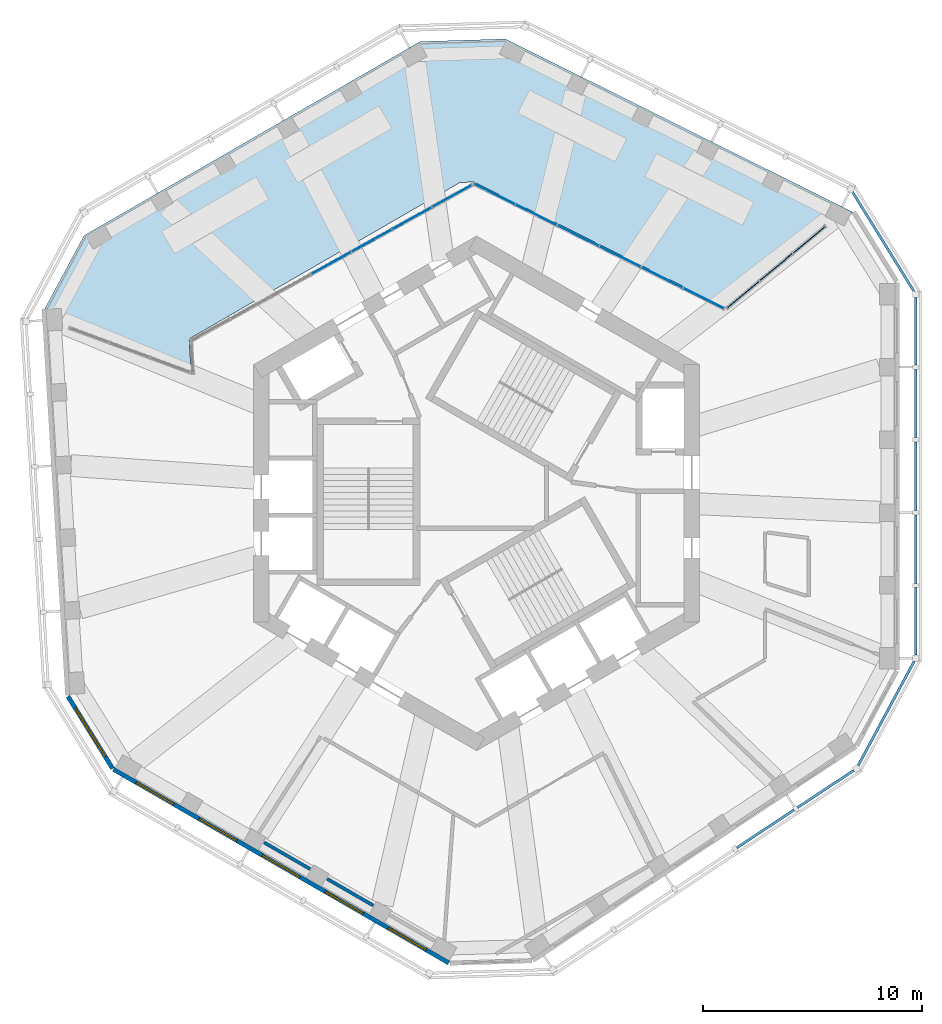
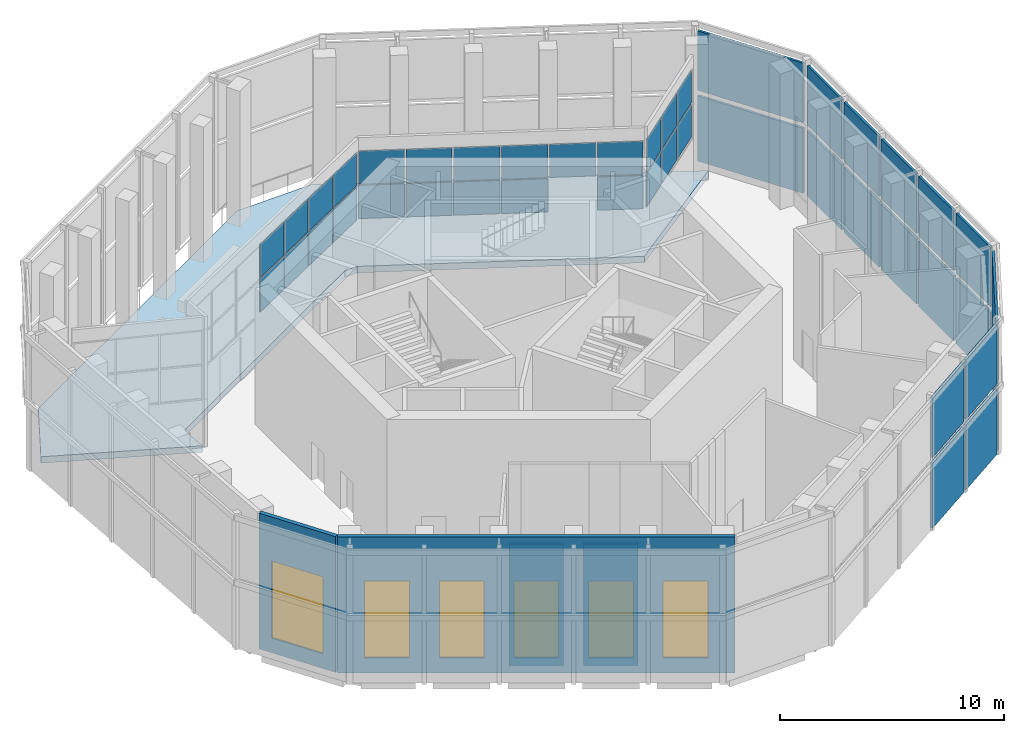
# One storey, part 7 of 16: 43 plates, 6 windows, 4 walls, 1 slab, 6 openings, 7 elements without a shape of their own.
"""IFC4 building model written with IfcOpenShell, lengths in metres."""

from ifc_helpers import new_model, si_unit, direction, frame, frame_2d, origin, origin_2d, place, context, subcontext, project, spatial, polyline, rectangle, outline, extrude, material, layer, layer_set, type_object, element, fill, aggregate, save


model = new_model("IFC4")

# Units and contexts
model_context = context("Model", 3, precision=1e-05, world=origin(), true_north=direction((0.0, 1.0)))
body_context = subcontext(model_context, "Body", "Model", "MODEL_VIEW")
ifc_project = project(units=[si_unit("LENGTHUNIT", "METRE"), si_unit("AREAUNIT", "SQUARE_METRE"), si_unit("VOLUMEUNIT", "CUBIC_METRE"), si_unit("PLANEANGLEUNIT", "RADIAN"), si_unit("MASSUNIT", "GRAM", prefix="KILO")], contexts=[model_context])

# Site, building, storey
site_placement = place(None, origin())
site = spatial("IfcSite", under=ifc_project, at=site_placement, CompositionType="ELEMENT")
building_placement = place(site_placement, origin())
building = spatial("IfcBuilding", under=site, at=building_placement, Name="Vanh Sen Convention Tower", CompositionType="ELEMENT")
storey_placement = place(building_placement, frame((0.0, 0.0, 278.300048828125)))
storey = spatial("IfcBuildingStorey", under=building, at=storey_placement, Name="L69", CompositionType="ELEMENT", Elevation=278.300048828125)

# Curtain wall, plates
ifc_material_1 = material(Name="Aluminium structural glazing system", Category="aluminium")
curtain_wall_type_1 = type_object("IfcCurtainWallType", Name="Sky garden structural glazing", PredefinedType="NOTDEFINED", material=ifc_material_1)
curtain_wall_1_placement = place(storey_placement, origin())
curtain_wall_1 = element("IfcCurtainWall", 1, at=curtain_wall_1_placement, inside=storey, type_object=curtain_wall_type_1, Name="Winter garden glazing 3 L69", PredefinedType="NOTDEFINED")
ifc_material_2 = material(Name="Clear toughened safety glass", Category="glass")
ifc_layer_1 = layer(ifc_material_2, 0.035888671875)
ifc_layer_set_1 = layer_set([ifc_layer_1], Name="Clear toughened safety glass")
plate_type_1 = type_object("IfcPlateType", Name="Garden glazing clear glass panel 36", PredefinedType="CURTAIN_PANEL", material=ifc_layer_set_1)
plate_1_placement = place(storey_placement, frame((-6.65283203125, 10.5400390625, 2.669921875), z_axis=(0.0, 0.0, 1.0), x_axis=(0.874659112115, 0.484738524975, 0.0)))
plate_1 = element("IfcPlate", 2, at=plate_1_placement, type_object=plate_type_1, Name="CW5 panel 4.1", PredefinedType="CURTAIN_PANEL", context=body_context, shape_type="SweptSolid", body=[
    extrude(rectangle(XDim=2.04150390625, YDim=0.035888671875, at=origin_2d()), origin(), (0.0, 0.0, 1.0), 1.804931640625),
])
plate_2_placement = place(storey_placement, frame((-6.65283203125, 10.5400390625, 4.544921875), z_axis=(0.0, 0.0, 1.0), x_axis=(0.874659112115, 0.484738524975, 0.0)))
plate_2 = element("IfcPlate", 3, at=plate_2_placement, type_object=plate_type_1, Name="CW5 panel 4.2", PredefinedType="CURTAIN_PANEL", context=body_context, shape_type="SweptSolid", body=[
    extrude(rectangle(XDim=2.04150390625, YDim=0.035888671875, at=origin_2d()), origin(), (0.0, 0.0, 1.0), 1.804931640625),
])
plate_3_placement = place(storey_placement, frame((-4.805908203125, 11.5634765625, 2.669921875), z_axis=(0.0, 0.0, 1.0), x_axis=(0.874659112115, 0.484738524975, 0.0)))
plate_3 = element("IfcPlate", 4, at=plate_3_placement, type_object=plate_type_1, Name="CW5 panel 5.1", PredefinedType="CURTAIN_PANEL", context=body_context, shape_type="SweptSolid", body=[
    extrude(rectangle(XDim=2.04150390625, YDim=0.035888671875, at=origin_2d()), origin(), (0.0, 0.0, 1.0), 1.804931640625),
])
plate_4_placement = place(storey_placement, frame((-4.805908203125, 11.5634765625, 4.544921875), z_axis=(0.0, 0.0, 1.0), x_axis=(0.874659112115, 0.484738524975, 0.0)))
plate_4 = element("IfcPlate", 5, at=plate_4_placement, type_object=plate_type_1, Name="CW5 panel 5.2", PredefinedType="CURTAIN_PANEL", context=body_context, shape_type="SweptSolid", body=[
    extrude(rectangle(XDim=2.04150390625, YDim=0.035888671875, at=origin_2d()), origin(), (0.0, 0.0, 1.0), 1.804931640625),
])
plate_5_placement = place(storey_placement, frame((-2.958984375, 12.587158203125, 2.669921875), z_axis=(0.0, 0.0, 1.0), x_axis=(0.874659112115, 0.484738524975, 0.0)))
plate_5 = element("IfcPlate", 6, at=plate_5_placement, type_object=plate_type_1, Name="CW5 panel 6.1", PredefinedType="CURTAIN_PANEL", context=body_context, shape_type="SweptSolid", body=[
    extrude(rectangle(XDim=2.04150390625, YDim=0.035888671875, at=origin_2d()), origin(), (0.0, 0.0, 1.0), 1.804931640625),
])
plate_6_placement = place(storey_placement, frame((-2.958984375, 12.587158203125, 4.544921875), z_axis=(0.0, 0.0, 1.0), x_axis=(0.874659112115, 0.484738524975, 0.0)))
plate_6 = element("IfcPlate", 7, at=plate_6_placement, type_object=plate_type_1, Name="CW5 panel 6.2", PredefinedType="CURTAIN_PANEL", context=body_context, shape_type="SweptSolid", body=[
    extrude(rectangle(XDim=2.04150390625, YDim=0.035888671875, at=origin_2d()), origin(), (0.0, 0.0, 1.0), 1.804931640625),
])
plate_7_placement = place(storey_placement, frame((-1.12744140625, 13.60205078125, 2.669921875), z_axis=(0.0, 0.0, 1.0), x_axis=(0.874659112115, 0.484738524975, 0.0)))
plate_7 = element("IfcPlate", 8, at=plate_7_placement, type_object=plate_type_1, Name="CW5 panel 7.1", PredefinedType="CURTAIN_PANEL", context=body_context, shape_type="SweptSolid", body=[
    extrude(rectangle(XDim=2.006591796875, YDim=0.035888671875, at=origin_2d()), origin(), (0.0, 0.0, 1.0), 1.804931640625),
])
plate_8_placement = place(storey_placement, frame((-1.12744140625, 13.60205078125, 4.544921875), z_axis=(0.0, 0.0, 1.0), x_axis=(0.874659112115, 0.484738524975, 0.0)))
plate_8 = element("IfcPlate", 9, at=plate_8_placement, type_object=plate_type_1, Name="CW5 panel 7.2", PredefinedType="CURTAIN_PANEL", context=body_context, shape_type="SweptSolid", body=[
    extrude(rectangle(XDim=2.006591796875, YDim=0.035888671875, at=origin_2d()), origin(), (0.0, 0.0, 1.0), 1.804931640625),
])
aggregate(curtain_wall_1, [plate_1, plate_2, plate_3, plate_4, plate_5, plate_6, plate_7, plate_8])

curtain_wall_2_placement = place(storey_placement, origin())
curtain_wall_2 = element("IfcCurtainWall", 10, at=curtain_wall_2_placement, inside=storey, type_object=curtain_wall_type_1, Name="Winter garden glazing 4 L69", PredefinedType="NOTDEFINED")
plate_9_placement = place(storey_placement, frame((0.825439453125, 13.695556640625, 2.669921875), z_axis=(0.0, 0.0, 1.0), x_axis=(0.894933739876, -0.446199060096, 0.0)))
plate_9 = element("IfcPlate", 11, at=plate_9_placement, type_object=plate_type_1, Name="CW5 panel 1.1", PredefinedType="CURTAIN_PANEL", context=body_context, shape_type="SweptSolid", body=[
    extrude(rectangle(XDim=2.037841796875, YDim=0.035888671875, at=origin_2d()), origin(), (0.0, 0.0, 1.0), 1.804931640625),
])
plate_10_placement = place(storey_placement, frame((0.825439453125, 13.695556640625, 4.544921875), z_axis=(0.0, 0.0, 1.0), x_axis=(0.894933739876, -0.446199060096, 0.0)))
plate_10 = element("IfcPlate", 12, at=plate_10_placement, type_object=plate_type_1, Name="CW5 panel 1.2", PredefinedType="CURTAIN_PANEL", context=body_context, shape_type="SweptSolid", body=[
    extrude(rectangle(XDim=2.037841796875, YDim=0.035888671875, at=origin_2d()), origin(), (0.0, 0.0, 1.0), 1.804931640625),
])
plate_11_placement = place(storey_placement, frame((2.727294921875, 12.747314453125, 2.669921875), z_axis=(0.0, 0.0, 1.0), x_axis=(0.894933739876, -0.446199060096, 0.0)))
plate_11 = element("IfcPlate", 13, at=plate_11_placement, type_object=plate_type_1, Name="CW5 panel 2.1", PredefinedType="CURTAIN_PANEL", context=body_context, shape_type="SweptSolid", body=[
    extrude(rectangle(XDim=2.07275390625, YDim=0.035888671875, at=origin_2d()), origin(), (0.0, 0.0, 1.0), 1.804931640625),
])
plate_12_placement = place(storey_placement, frame((2.727294921875, 12.747314453125, 4.544921875), z_axis=(0.0, 0.0, 1.0), x_axis=(0.894933739876, -0.446199060096, 0.0)))
plate_12 = element("IfcPlate", 14, at=plate_12_placement, type_object=plate_type_1, Name="CW5 panel 2.2", PredefinedType="CURTAIN_PANEL", context=body_context, shape_type="SweptSolid", body=[
    extrude(rectangle(XDim=2.07275390625, YDim=0.035888671875, at=origin_2d()), origin(), (0.0, 0.0, 1.0), 1.804931640625),
])
plate_13_placement = place(storey_placement, frame((4.64501953125, 11.791259765625, 2.669921875), z_axis=(0.0, 0.0, 1.0), x_axis=(0.894933739876, -0.446199060096, 0.0)))
plate_13 = element("IfcPlate", 15, at=plate_13_placement, type_object=plate_type_1, Name="CW5 panel 3.1", PredefinedType="CURTAIN_PANEL", context=body_context, shape_type="SweptSolid", body=[
    extrude(rectangle(XDim=2.07275390625, YDim=0.035888671875, at=origin_2d()), origin(), (0.0, 0.0, 1.0), 1.804931640625),
])
plate_14_placement = place(storey_placement, frame((4.64501953125, 11.791259765625, 4.544921875), z_axis=(0.0, 0.0, 1.0), x_axis=(0.894933739876, -0.446199060096, 0.0)))
plate_14 = element("IfcPlate", 16, at=plate_14_placement, type_object=plate_type_1, Name="CW5 panel 3.2", PredefinedType="CURTAIN_PANEL", context=body_context, shape_type="SweptSolid", body=[
    extrude(rectangle(XDim=2.07275390625, YDim=0.035888671875, at=origin_2d()), origin(), (0.0, 0.0, 1.0), 1.804931640625),
])
plate_15_placement = place(storey_placement, frame((6.562744140625, 10.835205078125, 2.669921875), z_axis=(0.0, 0.0, 1.0), x_axis=(0.894933739876, -0.446199060096, 0.0)))
plate_15 = element("IfcPlate", 17, at=plate_15_placement, type_object=plate_type_1, Name="CW5 panel 4.1", PredefinedType="CURTAIN_PANEL", context=body_context, shape_type="SweptSolid", body=[
    extrude(rectangle(XDim=2.07275390625, YDim=0.035888671875, at=origin_2d()), origin(), (0.0, 0.0, 1.0), 1.804931640625),
])
plate_16_placement = place(storey_placement, frame((6.562744140625, 10.835205078125, 4.544921875), z_axis=(0.0, 0.0, 1.0), x_axis=(0.894933739876, -0.446199060096, 0.0)))
plate_16 = element("IfcPlate", 18, at=plate_16_placement, type_object=plate_type_1, Name="CW5 panel 4.2", PredefinedType="CURTAIN_PANEL", context=body_context, shape_type="SweptSolid", body=[
    extrude(rectangle(XDim=2.07275390625, YDim=0.035888671875, at=origin_2d()), origin(), (0.0, 0.0, 1.0), 1.804931640625),
])
plate_17_placement = place(storey_placement, frame((8.48046875, 9.87890625, 4.544921875), z_axis=(0.0, 0.0, 1.0), x_axis=(0.894933739876, -0.446199060096, 0.0)))
plate_17 = element("IfcPlate", 19, at=plate_17_placement, type_object=plate_type_1, Name="CW5 panel 5.2", PredefinedType="CURTAIN_PANEL", context=body_context, shape_type="SweptSolid", body=[
    extrude(rectangle(XDim=2.07275390625, YDim=0.035888671875, at=origin_2d()), origin(), (0.0, 0.0, 1.0), 1.804931640625),
])
plate_18_placement = place(storey_placement, frame((10.38232421875, 8.9306640625, 2.669921875), z_axis=(0.0, 0.0, 1.0), x_axis=(0.894933739876, -0.446199060096, 0.0)))
plate_18 = element("IfcPlate", 20, at=plate_18_placement, type_object=plate_type_1, Name="CW5 panel 6.1", PredefinedType="CURTAIN_PANEL", context=body_context, shape_type="SweptSolid", body=[
    extrude(rectangle(XDim=2.037841796875, YDim=0.035888671875, at=origin_2d()), origin(), (0.0, 0.0, 1.0), 1.804931640625),
])
plate_19_placement = place(storey_placement, frame((10.38232421875, 8.9306640625, 4.544921875), z_axis=(0.0, 0.0, 1.0), x_axis=(0.894933739876, -0.446199060096, 0.0)))
plate_19 = element("IfcPlate", 21, at=plate_19_placement, type_object=plate_type_1, Name="CW5 panel 6.2", PredefinedType="CURTAIN_PANEL", context=body_context, shape_type="SweptSolid", body=[
    extrude(rectangle(XDim=2.037841796875, YDim=0.035888671875, at=origin_2d()), origin(), (0.0, 0.0, 1.0), 1.804931640625),
])
aggregate(curtain_wall_2, [plate_9, plate_10, plate_11, plate_12, plate_13, plate_14, plate_15, plate_16, plate_17, plate_18, plate_19])

curtain_wall_3_placement = place(storey_placement, origin())
curtain_wall_3 = element("IfcCurtainWall", 22, at=curtain_wall_3_placement, inside=storey, type_object=curtain_wall_type_1, Name="Winter garden glazing 5 L69", PredefinedType="NOTDEFINED")
plate_20_placement = place(storey_placement, frame((12.20361328125, 9.097900390625, 2.669921875), z_axis=(0.0, 0.0, 1.0), x_axis=(0.768298676572, 0.640091511877, 0.0)))
plate_20 = element("IfcPlate", 23, at=plate_20_placement, type_object=plate_type_1, Name="CW5 panel 1.1", PredefinedType="CURTAIN_PANEL", context=body_context, shape_type="SweptSolid", body=[
    extrude(rectangle(XDim=1.871826171875, YDim=0.035888671875, at=origin_2d()), origin(), (0.0, 0.0, 1.0), 1.804931640625),
])
plate_21_placement = place(storey_placement, frame((12.20361328125, 9.097900390625, 4.544921875), z_axis=(0.0, 0.0, 1.0), x_axis=(0.768298676572, 0.640091511877, 0.0)))
plate_21 = element("IfcPlate", 24, at=plate_21_placement, type_object=plate_type_1, Name="CW5 panel 1.2", PredefinedType="CURTAIN_PANEL", context=body_context, shape_type="SweptSolid", body=[
    extrude(rectangle(XDim=1.871826171875, YDim=0.035888671875, at=origin_2d()), origin(), (0.0, 0.0, 1.0), 1.804931640625),
])
plate_22_placement = place(storey_placement, frame((13.708984375, 10.35205078125, 2.669921875), z_axis=(0.0, 0.0, 1.0), x_axis=(0.768298676572, 0.640091511877, 0.0)))
plate_22 = element("IfcPlate", 25, at=plate_22_placement, type_object=plate_type_1, Name="CW5 panel 2.1", PredefinedType="CURTAIN_PANEL", context=body_context, shape_type="SweptSolid", body=[
    extrude(rectangle(XDim=1.90673828125, YDim=0.035888671875, at=origin_2d()), origin(), (0.0, 0.0, 1.0), 1.804931640625),
])
plate_23_placement = place(storey_placement, frame((13.708984375, 10.35205078125, 4.544921875), z_axis=(0.0, 0.0, 1.0), x_axis=(0.768298676572, 0.640091511877, 0.0)))
plate_23 = element("IfcPlate", 26, at=plate_23_placement, type_object=plate_type_1, Name="CW5 panel 2.2", PredefinedType="CURTAIN_PANEL", context=body_context, shape_type="SweptSolid", body=[
    extrude(rectangle(XDim=1.90673828125, YDim=0.035888671875, at=origin_2d()), origin(), (0.0, 0.0, 1.0), 1.804931640625),
])
plate_24_placement = place(storey_placement, frame((15.214111328125, 11.606201171875, 2.669921875), z_axis=(0.0, 0.0, 1.0), x_axis=(0.768298676572, 0.640091511877, 0.0)))
plate_24 = element("IfcPlate", 27, at=plate_24_placement, type_object=plate_type_1, Name="CW5 panel 3.1", PredefinedType="CURTAIN_PANEL", context=body_context, shape_type="SweptSolid", body=[
    extrude(rectangle(XDim=1.871826171875, YDim=0.035888671875, at=origin_2d()), origin(), (0.0, 0.0, 1.0), 1.804931640625),
])
plate_25_placement = place(storey_placement, frame((15.214111328125, 11.606201171875, 4.544921875), z_axis=(0.0, 0.0, 1.0), x_axis=(0.768298676572, 0.640091511877, 0.0)))
plate_25 = element("IfcPlate", 28, at=plate_25_placement, type_object=plate_type_1, Name="CW5 panel 3.2", PredefinedType="CURTAIN_PANEL", context=body_context, shape_type="SweptSolid", body=[
    extrude(rectangle(XDim=1.871826171875, YDim=0.035888671875, at=origin_2d()), origin(), (0.0, 0.0, 1.0), 1.804931640625),
])
aggregate(curtain_wall_3, [plate_20, plate_21, plate_22, plate_23, plate_24, plate_25])

ifc_material_3 = material(Name="Concrete C50/60", Category="concrete")
curtain_wall_type_2 = type_object("IfcCurtainWallType", Name="Outer skin office zone", PredefinedType="NOTDEFINED", material=ifc_material_3)
curtain_wall_4_placement = place(storey_placement, origin())
curtain_wall_4 = element("IfcCurtainWall", 29, at=curtain_wall_4_placement, inside=storey, type_object=curtain_wall_type_2, Name="OUTER SKIN E L69", PredefinedType="NOTDEFINED")
ifc_layer_2 = layer(ifc_material_3, 0.1201171875)
ifc_layer_set_2 = layer_set([ifc_layer_2], Name="Concrete C50/60")
plate_type_2 = type_object("IfcPlateType", Name="Outer skin precast screen panel 120", PredefinedType="CURTAIN_PANEL", material=ifc_layer_set_2)
plate_26_placement = place(storey_placement, frame((20.10009765625, -5.85595703125, 0.0), z_axis=(0.0, 0.0, 1.0), x_axis=(0.0, 1.0, 0.0)))
plate_26 = element("IfcPlate", 30, at=plate_26_placement, type_object=plate_type_2, Name="OUTER SKIN screen panel E-1", PredefinedType="CURTAIN_PANEL", context=body_context, shape_type="SweptSolid", body=[
    extrude(rectangle(XDim=3.08154296875, YDim=0.1201171875, at=origin_2d()), origin(), (0.0, 0.0, 1.0), 3.550048828125),
])
plate_27_placement = place(storey_placement, frame((20.10009765625, -5.85595703125, 3.849853515625), z_axis=(0.0, 0.0, 1.0), x_axis=(0.0, 1.0, 0.0)))
plate_27 = element("IfcPlate", 31, at=plate_27_placement, type_object=plate_type_2, Name="OUTER SKIN screen panel E-1", PredefinedType="CURTAIN_PANEL", context=body_context, shape_type="SweptSolid", body=[
    extrude(rectangle(XDim=3.08154296875, YDim=0.1201171875, at=origin_2d()), origin(), (0.0, 0.0, 1.0), 3.25),
])
plate_28_placement = place(storey_placement, frame((20.10009765625, -2.54931640625, 0.0), z_axis=(0.0, 0.0, 1.0), x_axis=(0.0, 1.0, 0.0)))
plate_28 = element("IfcPlate", 32, at=plate_28_placement, type_object=plate_type_2, Name="OUTER SKIN screen panel E-2", PredefinedType="CURTAIN_PANEL", context=body_context, shape_type="SweptSolid", body=[
    extrude(rectangle(XDim=3.131591796875, YDim=0.1201171875, at=origin_2d()), origin(), (0.0, 0.0, 1.0), 3.550048828125),
])
plate_29_placement = place(storey_placement, frame((20.10009765625, -2.54931640625, 3.849853515625), z_axis=(0.0, 0.0, 1.0), x_axis=(0.0, 1.0, 0.0)))
plate_29 = element("IfcPlate", 33, at=plate_29_placement, type_object=plate_type_2, Name="OUTER SKIN screen panel E-2", PredefinedType="CURTAIN_PANEL", context=body_context, shape_type="SweptSolid", body=[
    extrude(rectangle(XDim=3.131591796875, YDim=0.1201171875, at=origin_2d()), origin(), (0.0, 0.0, 1.0), 3.25),
])
plate_30_placement = place(storey_placement, frame((20.10009765625, 0.782470703125, 0.0), z_axis=(0.0, 0.0, 1.0), x_axis=(0.0, 1.0, 0.0)))
plate_30 = element("IfcPlate", 34, at=plate_30_placement, type_object=plate_type_2, Name="OUTER SKIN screen panel E-3", PredefinedType="CURTAIN_PANEL", context=body_context, shape_type="SweptSolid", body=[
    extrude(rectangle(XDim=3.131591796875, YDim=0.1201171875, at=origin_2d()), origin(), (0.0, 0.0, 1.0), 3.550048828125),
])
plate_31_placement = place(storey_placement, frame((20.10009765625, 0.782470703125, 3.849853515625), z_axis=(0.0, 0.0, 1.0), x_axis=(0.0, 1.0, 0.0)))
plate_31 = element("IfcPlate", 35, at=plate_31_placement, type_object=plate_type_2, Name="OUTER SKIN screen panel E-3", PredefinedType="CURTAIN_PANEL", context=body_context, shape_type="SweptSolid", body=[
    extrude(rectangle(XDim=3.131591796875, YDim=0.1201171875, at=origin_2d()), origin(), (0.0, 0.0, 1.0), 3.25),
])
plate_32_placement = place(storey_placement, frame((20.10009765625, 4.114013671875, 0.0), z_axis=(0.0, 0.0, 1.0), x_axis=(0.0, 1.0, 0.0)))
plate_32 = element("IfcPlate", 36, at=plate_32_placement, type_object=plate_type_2, Name="OUTER SKIN screen panel E-4", PredefinedType="CURTAIN_PANEL", context=body_context, shape_type="SweptSolid", body=[
    extrude(rectangle(XDim=3.131591796875, YDim=0.1201171875, at=origin_2d()), origin(), (0.0, 0.0, 1.0), 3.550048828125),
])
plate_33_placement = place(storey_placement, frame((20.10009765625, 4.114013671875, 3.849853515625), z_axis=(0.0, 0.0, 1.0), x_axis=(0.0, 1.0, 0.0)))
plate_33 = element("IfcPlate", 37, at=plate_33_placement, type_object=plate_type_2, Name="OUTER SKIN screen panel E-4", PredefinedType="CURTAIN_PANEL", context=body_context, shape_type="SweptSolid", body=[
    extrude(rectangle(XDim=3.131591796875, YDim=0.1201171875, at=origin_2d()), origin(), (0.0, 0.0, 1.0), 3.25),
])
plate_34_placement = place(storey_placement, frame((20.10009765625, 7.420654296875, 0.0), z_axis=(0.0, 0.0, 1.0), x_axis=(0.0, 1.0, 0.0)))
plate_34 = element("IfcPlate", 38, at=plate_34_placement, type_object=plate_type_2, Name="OUTER SKIN screen panel E-5", PredefinedType="CURTAIN_PANEL", context=body_context, shape_type="SweptSolid", body=[
    extrude(rectangle(XDim=3.08154296875, YDim=0.1201171875, at=origin_2d()), origin(), (0.0, 0.0, 1.0), 3.550048828125),
])
plate_35_placement = place(storey_placement, frame((20.10009765625, 7.420654296875, 3.849853515625), z_axis=(0.0, 0.0, 1.0), x_axis=(0.0, 1.0, 0.0)))
plate_35 = element("IfcPlate", 39, at=plate_35_placement, type_object=plate_type_2, Name="OUTER SKIN screen panel E-5", PredefinedType="CURTAIN_PANEL", context=body_context, shape_type="SweptSolid", body=[
    extrude(rectangle(XDim=3.08154296875, YDim=0.1201171875, at=origin_2d()), origin(), (0.0, 0.0, 1.0), 3.25),
])
aggregate(curtain_wall_4, [plate_26, plate_27, plate_28, plate_29, plate_30, plate_31, plate_32, plate_33, plate_34, plate_35])

curtain_wall_5_placement = place(storey_placement, origin())
curtain_wall_5 = element("IfcCurtainWall", 40, at=curtain_wall_5_placement, inside=storey, type_object=curtain_wall_type_2, Name="OUTER SKIN CH1 L69", PredefinedType="NOTDEFINED")
plate_36_placement = place(storey_placement, frame((18.611328125, 11.51708984375, 0.0), z_axis=(0.0, 0.0, 1.0), x_axis=(-0.526218376078, 0.850349469734, 0.0)))
plate_36 = element("IfcPlate", 41, at=plate_36_placement, type_object=plate_type_2, Name="OUTER SKIN screen panel CH1-1", PredefinedType="CURTAIN_PANEL", context=body_context, shape_type="SweptSolid", body=[
    extrude(rectangle(XDim=5.35791015625, YDim=0.1201171875, at=origin_2d()), origin(), (0.0, 0.0, 1.0), 3.550048828125),
])
plate_37_placement = place(storey_placement, frame((18.611328125, 11.51708984375, 3.849853515625), z_axis=(0.0, 0.0, 1.0), x_axis=(-0.526218376078, 0.850349469734, 0.0)))
plate_37 = element("IfcPlate", 42, at=plate_37_placement, type_object=plate_type_2, Name="OUTER SKIN screen panel CH1-1", PredefinedType="CURTAIN_PANEL", context=body_context, shape_type="SweptSolid", body=[
    extrude(rectangle(XDim=5.35791015625, YDim=0.1201171875, at=origin_2d()), origin(), (0.0, 0.0, 1.0), 3.25),
])
aggregate(curtain_wall_5, [plate_36, plate_37])

curtain_wall_6_placement = place(storey_placement, origin())
curtain_wall_6 = element("IfcCurtainWall", 43, at=curtain_wall_6_placement, inside=storey, type_object=curtain_wall_type_2, Name="OUTER SKIN SE L69", PredefinedType="NOTDEFINED")
plate_38_placement = place(storey_placement, frame((13.2197265625, -15.35400390625, 0.0), z_axis=(0.0, 0.0, 1.0), x_axis=(0.833879078823, 0.551947173108, 0.0)))
plate_38 = element("IfcPlate", 44, at=plate_38_placement, type_object=plate_type_2, Name="OUTER SKIN screen panel SE-4", PredefinedType="CURTAIN_PANEL", context=body_context, shape_type="SweptSolid", body=[
    extrude(rectangle(XDim=3.131591796875, YDim=0.1201171875, at=origin_2d()), origin(), (0.0, 0.0, 1.0), 3.550048828125),
])
plate_39_placement = place(storey_placement, frame((13.2197265625, -15.35400390625, 3.849853515625), z_axis=(0.0, 0.0, 1.0), x_axis=(0.833879078823, 0.551947173108, 0.0)))
plate_39 = element("IfcPlate", 45, at=plate_39_placement, type_object=plate_type_2, Name="OUTER SKIN screen panel SE-4", PredefinedType="CURTAIN_PANEL", context=body_context, shape_type="SweptSolid", body=[
    extrude(rectangle(XDim=3.131591796875, YDim=0.1201171875, at=origin_2d()), origin(), (0.0, 0.0, 1.0), 3.25),
])
plate_40_placement = place(storey_placement, frame((15.97705078125, -13.529052734375, 0.0), z_axis=(0.0, 0.0, 1.0), x_axis=(0.833879078823, 0.551947173108, 0.0)))
plate_40 = element("IfcPlate", 46, at=plate_40_placement, type_object=plate_type_2, Name="OUTER SKIN screen panel SE-5", PredefinedType="CURTAIN_PANEL", context=body_context, shape_type="SweptSolid", body=[
    extrude(rectangle(XDim=3.081787109375, YDim=0.1201171875, at=origin_2d()), origin(), (0.0, 0.0, 1.0), 3.550048828125),
])
plate_41_placement = place(storey_placement, frame((15.97705078125, -13.529052734375, 3.849853515625), z_axis=(0.0, 0.0, 1.0), x_axis=(0.833879078823, 0.551947173108, 0.0)))
plate_41 = element("IfcPlate", 47, at=plate_41_placement, type_object=plate_type_2, Name="OUTER SKIN screen panel SE-5", PredefinedType="CURTAIN_PANEL", context=body_context, shape_type="SweptSolid", body=[
    extrude(rectangle(XDim=3.081787109375, YDim=0.1201171875, at=origin_2d()), origin(), (0.0, 0.0, 1.0), 3.25),
])
aggregate(curtain_wall_6, [plate_38, plate_39, plate_40, plate_41])

curtain_wall_7_placement = place(storey_placement, origin())
curtain_wall_7 = element("IfcCurtainWall", 48, at=curtain_wall_7_placement, inside=storey, type_object=curtain_wall_type_2, Name="OUTER SKIN CH6 L69", PredefinedType="NOTDEFINED")
plate_42_placement = place(storey_placement, frame((18.743408203125, -10.0712890625, 0.0), z_axis=(0.0, 0.0, 1.0), x_axis=(0.473324279511, 0.880888259897, 0.0)))
plate_42 = element("IfcPlate", 49, at=plate_42_placement, type_object=plate_type_2, Name="OUTER SKIN screen panel CH6-1", PredefinedType="CURTAIN_PANEL", context=body_context, shape_type="SweptSolid", body=[
    extrude(rectangle(XDim=5.431884765625, YDim=0.1201171875, at=origin_2d()), origin(), (0.0, 0.0, 1.0), 3.550048828125),
])
plate_43_placement = place(storey_placement, frame((18.743408203125, -10.0712890625, 3.849853515625), z_axis=(0.0, 0.0, 1.0), x_axis=(0.473324279511, 0.880888259897, 0.0)))
plate_43 = element("IfcPlate", 50, at=plate_43_placement, type_object=plate_type_2, Name="OUTER SKIN screen panel CH6-1", PredefinedType="CURTAIN_PANEL", context=body_context, shape_type="SweptSolid", body=[
    extrude(rectangle(XDim=5.431884765625, YDim=0.1201171875, at=origin_2d()), origin(), (0.0, 0.0, 1.0), 3.25),
])
aggregate(curtain_wall_7, [plate_42, plate_43])

# Slab
ifc_material_4 = material(Name="Concrete C40/50", Category="concrete")
ifc_layer_3 = layer(ifc_material_4, 0.35009765625)
ifc_layer_set_3 = layer_set([ifc_layer_3], Name="Concrete C40/50")
slab_type = type_object("IfcSlabType", Name="Terrace slab 350, compartment floor REI 180", PredefinedType="FLOOR", material=ifc_layer_set_3)
slab_placement = place(storey_placement, frame((0.0, 0.0, -0.35009765625)))
element("IfcSlab", 51, at=slab_placement, inside=storey, type_object=slab_type, Name="Sky garden terrace slab L69", PredefinedType="FLOOR", context=body_context, shape_type="SweptSolid", body=[
    extrude(outline(polyline([(-19.75390625, 8.471435546875), (-13.06640625, 5.603515625), (-13.1533203125, 7.023193359375), (-13.1162109375, 7.092041015625), (-0.754638671875, 14.22900390625), (-0.115478515625, 14.24853515625), (11.385986328125, 8.51416015625), (17.21337890625, 12.871826171875), (1.32080078125, 20.79541015625), (-2.587890625, 20.676025390625), (-17.967041015625, 11.796875), (-19.75390625, 8.471435546875), (-19.75390625, 8.471435546875)])), origin(), (0.0, 0.0, 1.0), 0.35009765625),
])

# Wall, opening, window
ifc_material_5 = material(Name="Insulated lightweight infill wall")
ifc_layer_4 = layer(ifc_material_5, 0.199951171875)
ifc_layer_set_4 = layer_set([ifc_layer_4], Name="Insulated lightweight infill wall")
wall_type_1 = type_object("IfcWallType", Name="External wall 200", PredefinedType="STANDARD", material=ifc_layer_set_4)
wall_1_placement = place(storey_placement, frame((-18.705810546875, -9.290771484375, 0.0), z_axis=(0.0, 0.0, 1.0), x_axis=(0.526209683648, -0.850354848775, 0.0)))
wall_1 = element("IfcWall", 52, at=wall_1_placement, inside=storey, type_object=wall_type_1, Name="External wall CH4 L69", PredefinedType="STANDARD", context=body_context, shape_type="SweptSolid", body=[
    extrude(rectangle(XDim=3.8857421875, YDim=0.199951171875, at=frame_2d((1.94287109375, 0.0))), origin(), (0.0, 0.0, 1.0), 7.39990234375),
])
opening_1_placement = place(wall_1_placement, frame((0.642822265625, 0.0, 0.800048828125)))
opening_1 = element("IfcOpeningElement", 53, at=opening_1_placement, cuts=wall_1, Name="Opening WS6-CH41", PredefinedType="OPENING", context=body_context, shape_type="SweptSolid", body=[
    extrude(rectangle(XDim=2.60009765625, YDim=4.199951171875, at=frame_2d((1.300048828125, 2.10009765625))), frame((0.0, 0.10986328125, 0.0), z_axis=(0.0, -1.0, 0.0), x_axis=(1.0, 0.0, 0.0)), (0.0, 0.0, 1.0), 0.219970703125),
])
ifc_material_6 = material(Name="Aluminium frame with clear low-emissivity glass", Category="aluminium")
window_type_1 = type_object("IfcWindowType", Name="Sky garden window 2600 x 4200", PartitioningType="SINGLE_PANEL", PredefinedType="WINDOW", material=ifc_material_6)
window_1_placement = place(opening_1_placement, origin())
window_1 = element("IfcWindow", 54, at=window_1_placement, inside=storey, type_object=window_type_1, Name="Window WS6-CH41", OverallHeight=4.199951171875, OverallWidth=2.60009765625, PartitioningType="SINGLE_PANEL", PredefinedType="WINDOW", context=body_context, shape_type="SweptSolid", body=[
    extrude(rectangle(XDim=2.60009765625, YDim=4.199951171875, at=frame_2d((1.300048828125, 2.10009765625))), frame((0.0, 0.030029296875, 0.0), z_axis=(0.0, -1.0, 0.0), x_axis=(1.0, 0.0, 0.0)), (0.0, 0.0, 1.0), 0.06005859375),
])
fill(opening_1, window_1)

# Wall, openings, windows
wall_2_placement = place(storey_placement, frame((-16.626220703125, -12.62890625, 0.0), z_axis=(0.0, 0.0, 1.0), x_axis=(0.866026460444, -0.499998169808, 0.0)))
wall_2 = element("IfcWall", 55, at=wall_2_placement, inside=storey, type_object=wall_type_1, Name="External wall SW L69", PredefinedType="STANDARD", context=body_context, shape_type="SweptSolid", body=[
    extrude(rectangle(XDim=17.7314453125, YDim=0.199951171875, at=frame_2d((8.86572265625, 0.0))), origin(), (0.0, 0.0, 1.0), 7.39990234375),
])
opening_2_placement = place(wall_2_placement, frame((1.203125, 0.0, 0.800048828125)))
opening_2 = element("IfcOpeningElement", 56, at=opening_2_placement, cuts=wall_2, Name="Opening WS5-SW1", PredefinedType="OPENING", context=body_context, shape_type="SweptSolid", body=[
    extrude(rectangle(XDim=2.0, YDim=4.199951171875, at=frame_2d((1.0, 2.10009765625))), frame((0.0, 0.10986328125, 0.0), z_axis=(0.0, -1.0, 0.0), x_axis=(1.0, 0.0, 0.0)), (0.0, 0.0, 1.0), 0.219970703125),
])
opening_3_placement = place(wall_2_placement, frame((4.534912109375, 0.0, 0.800048828125)))
opening_3 = element("IfcOpeningElement", 57, at=opening_3_placement, cuts=wall_2, Name="Opening WS5-SW2", PredefinedType="OPENING", context=body_context, shape_type="SweptSolid", body=[
    extrude(rectangle(XDim=2.0, YDim=4.199951171875, at=frame_2d((1.0, 2.10009765625))), frame((0.0, 0.10986328125, 0.0), z_axis=(0.0, -1.0, 0.0), x_axis=(1.0, 0.0, 0.0)), (0.0, 0.0, 1.0), 0.219970703125),
])
opening_4_placement = place(wall_2_placement, frame((7.86669921875, 0.0, 0.800048828125)))
opening_4 = element("IfcOpeningElement", 58, at=opening_4_placement, cuts=wall_2, Name="Opening WS5-SW3", PredefinedType="OPENING", context=body_context, shape_type="SweptSolid", body=[
    extrude(rectangle(XDim=2.0, YDim=4.199951171875, at=frame_2d((1.0, 2.10009765625))), frame((0.0, 0.10986328125, 0.0), z_axis=(0.0, -1.0, 0.0), x_axis=(1.0, 0.0, 0.0)), (0.0, 0.0, 1.0), 0.219970703125),
])
opening_5_placement = place(wall_2_placement, frame((11.1982421875, 0.0, 0.800048828125)))
opening_5 = element("IfcOpeningElement", 59, at=opening_5_placement, cuts=wall_2, Name="Opening WS5-SW4", PredefinedType="OPENING", context=body_context, shape_type="SweptSolid", body=[
    extrude(rectangle(XDim=2.0, YDim=4.199951171875, at=frame_2d((1.0, 2.10009765625))), frame((0.0, 0.10986328125, 0.0), z_axis=(0.0, -1.0, 0.0), x_axis=(1.0, 0.0, 0.0)), (0.0, 0.0, 1.0), 0.219970703125),
])
opening_6_placement = place(wall_2_placement, frame((14.52978515625, 0.0, 0.800048828125)))
opening_6 = element("IfcOpeningElement", 60, at=opening_6_placement, cuts=wall_2, Name="Opening WS5-SW5", PredefinedType="OPENING", context=body_context, shape_type="SweptSolid", body=[
    extrude(rectangle(XDim=2.0, YDim=4.199951171875, at=frame_2d((1.0, 2.10009765625))), frame((0.0, 0.10986328125, 0.0), z_axis=(0.0, -1.0, 0.0), x_axis=(1.0, 0.0, 0.0)), (0.0, 0.0, 1.0), 0.219970703125),
])
window_type_2 = type_object("IfcWindowType", Name="Sky garden window 2000 x 4200", PartitioningType="SINGLE_PANEL", PredefinedType="WINDOW", material=ifc_material_6)
window_2_placement = place(opening_2_placement, origin())
window_2 = element("IfcWindow", 61, at=window_2_placement, inside=storey, type_object=window_type_2, Name="Window WS5-SW1", OverallHeight=4.199951171875, OverallWidth=2.0, PartitioningType="SINGLE_PANEL", PredefinedType="WINDOW", context=body_context, shape_type="SweptSolid", body=[
    extrude(rectangle(XDim=2.0, YDim=4.199951171875, at=frame_2d((1.0, 2.10009765625))), frame((0.0, 0.030029296875, 0.0), z_axis=(0.0, -1.0, 0.0), x_axis=(1.0, 0.0, 0.0)), (0.0, 0.0, 1.0), 0.06005859375),
])
fill(opening_2, window_2)
window_3_placement = place(opening_3_placement, origin())
window_3 = element("IfcWindow", 62, at=window_3_placement, inside=storey, type_object=window_type_2, Name="Window WS5-SW2", OverallHeight=4.199951171875, OverallWidth=2.0, PartitioningType="SINGLE_PANEL", PredefinedType="WINDOW", context=body_context, shape_type="SweptSolid", body=[
    extrude(rectangle(XDim=2.0, YDim=4.199951171875, at=frame_2d((1.0, 2.10009765625))), frame((0.0, 0.030029296875, 0.0), z_axis=(0.0, -1.0, 0.0), x_axis=(1.0, 0.0, 0.0)), (0.0, 0.0, 1.0), 0.06005859375),
])
fill(opening_3, window_3)
window_4_placement = place(opening_4_placement, origin())
window_4 = element("IfcWindow", 63, at=window_4_placement, inside=storey, type_object=window_type_2, Name="Window WS5-SW3", OverallHeight=4.199951171875, OverallWidth=2.0, PartitioningType="SINGLE_PANEL", PredefinedType="WINDOW", context=body_context, shape_type="SweptSolid", body=[
    extrude(rectangle(XDim=2.0, YDim=4.199951171875, at=frame_2d((1.0, 2.10009765625))), frame((0.0, 0.030029296875, 0.0), z_axis=(0.0, -1.0, 0.0), x_axis=(1.0, 0.0, 0.0)), (0.0, 0.0, 1.0), 0.06005859375),
])
fill(opening_4, window_4)
window_5_placement = place(opening_5_placement, origin())
window_5 = element("IfcWindow", 64, at=window_5_placement, inside=storey, type_object=window_type_2, Name="Window WS5-SW4", OverallHeight=4.199951171875, OverallWidth=2.0, PartitioningType="SINGLE_PANEL", PredefinedType="WINDOW", context=body_context, shape_type="SweptSolid", body=[
    extrude(rectangle(XDim=2.0, YDim=4.199951171875, at=frame_2d((1.0, 2.10009765625))), frame((0.0, 0.030029296875, 0.0), z_axis=(0.0, -1.0, 0.0), x_axis=(1.0, 0.0, 0.0)), (0.0, 0.0, 1.0), 0.06005859375),
])
fill(opening_5, window_5)
window_6_placement = place(opening_6_placement, origin())
window_6 = element("IfcWindow", 65, at=window_6_placement, inside=storey, type_object=window_type_2, Name="Window WS5-SW5", OverallHeight=4.199951171875, OverallWidth=2.0, PartitioningType="SINGLE_PANEL", PredefinedType="WINDOW", context=body_context, shape_type="SweptSolid", body=[
    extrude(rectangle(XDim=2.0, YDim=4.199951171875, at=frame_2d((1.0, 2.10009765625))), frame((0.0, 0.030029296875, 0.0), z_axis=(0.0, -1.0, 0.0), x_axis=(1.0, 0.0, 0.0)), (0.0, 0.0, 1.0), 0.06005859375),
])
fill(opening_6, window_6)

# Walls
ifc_material_7 = material(Name="Gypsum board on steel studs", Category="steel")
ifc_layer_5 = layer(ifc_material_7, 0.14990234375)
ifc_layer_set_5 = layer_set([ifc_layer_5], Name="Gypsum board on steel studs")
wall_type_2 = type_object("IfcWallType", Name="Partition 150 EI 60", PredefinedType="PARTITIONING", material=ifc_layer_set_5)
for number, where, z_axis, x_axis, name in (
    (66, (-4.734130859375, -18.859619140625, 0.0), (0.0, 0.0, 1.0), (-0.866035116605, 0.499983176524, 0.0), "Partition L69-004"),
    (67, (-7.619384765625, -17.19384765625, 0.0), (0.0, 0.0, 1.0), (-0.866035116605, 0.499983176524, 0.0), "Partition L69-005"),
):
    element("IfcWall", number, at=place(storey_placement, frame(where, z_axis=z_axis, x_axis=x_axis)), inside=storey, type_object=wall_type_2, Name=name, PredefinedType="PARTITIONING", context=body_context, shape_type="SweptSolid", body=[
        extrude(rectangle(XDim=2.431640625, YDim=0.14990234375, at=frame_2d((1.2158203125, 0.0))), origin(), (0.0, 0.0, 1.0), 6.619873046875),
    ])

save(model, "model.ifc")
